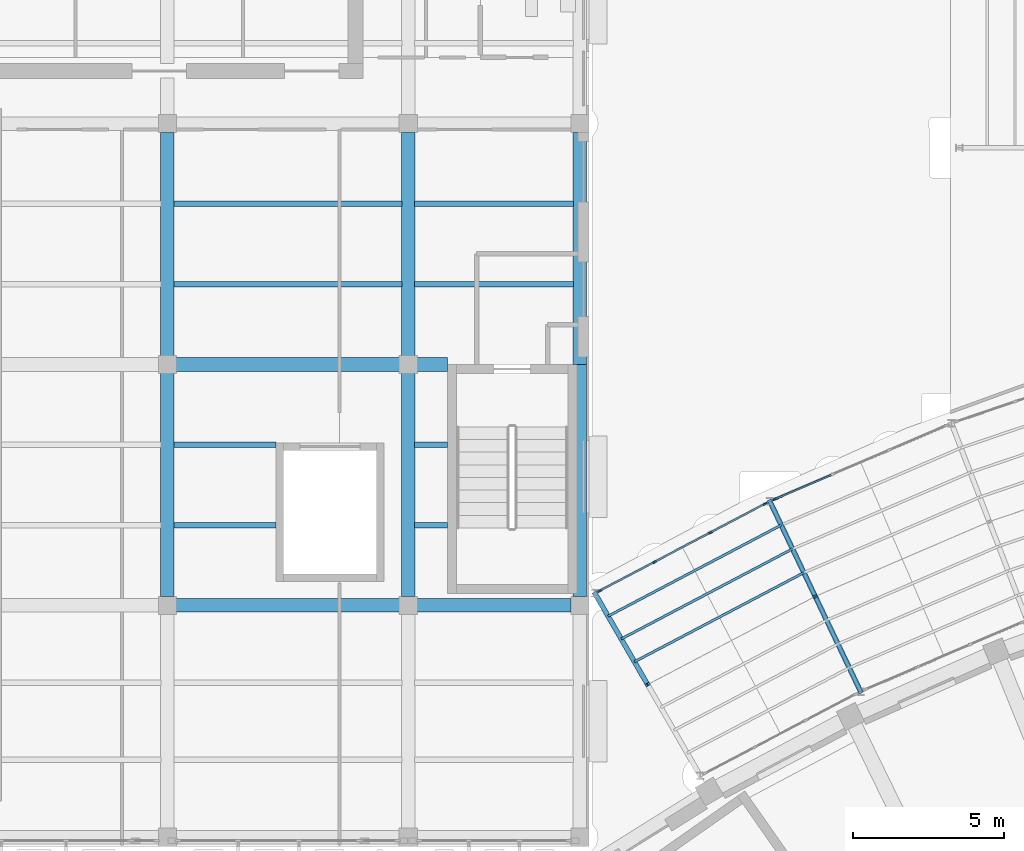
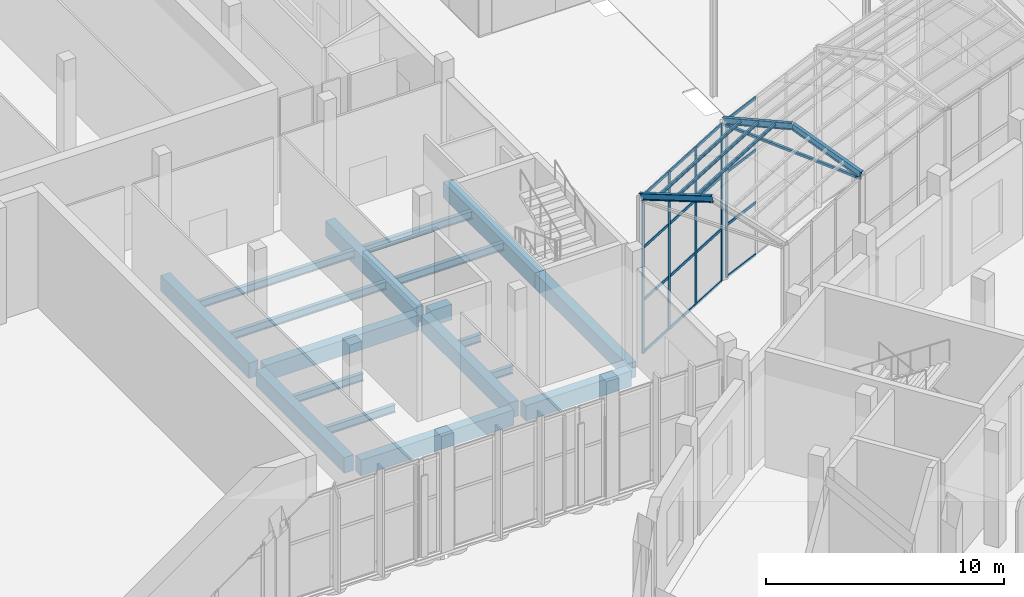
# One storey, part 38 of 155: 24 members, 22 beams, 2 elements without a shape of their own.
"""IFC4 building model written with IfcOpenShell, lengths in metres."""

from ifc_helpers import new_model, si_unit, direction, frame, origin, origin_2d, place, context, subcontext, project, spatial, rectangle, hollow_rectangle, i_section, extrude, material, layer, layer_set, material_profile, profile_set, type_object, element, aggregate, save


model = new_model("IFC4")

# Units and contexts
model_context = context("Model", 3, precision=1e-05, world=origin(), true_north=direction((0.0, 1.0)))
body_context = subcontext(model_context, "Body", "Model", "MODEL_VIEW")
ifc_project = project(units=[si_unit("LENGTHUNIT", "METRE"), si_unit("AREAUNIT", "SQUARE_METRE"), si_unit("VOLUMEUNIT", "CUBIC_METRE"), si_unit("PLANEANGLEUNIT", "RADIAN"), si_unit("MASSUNIT", "GRAM", prefix="KILO")], contexts=[model_context])

# Site, building, storey
site_placement = place(None, origin())
site = spatial("IfcSite", under=ifc_project, at=site_placement, CompositionType="ELEMENT")
building_placement = place(site_placement, origin())
building = spatial("IfcBuilding", under=site, at=building_placement, Name="Lunette Opera House", CompositionType="ELEMENT")
storey_placement = place(building_placement, origin())
storey = spatial("IfcBuildingStorey", under=building, at=storey_placement, Name="L00", CompositionType="ELEMENT", Elevation=0.0)

# Curtain wall, members
ifc_material_1 = material(Name="Aluminium", Category="aluminium")
ifc_layer = layer(ifc_material_1, 0.139892578125)
ifc_layer_set = layer_set([ifc_layer], Name="Aluminium")
curtain_wall_type = type_object("IfcCurtainWallType", Name="PASSAGE CURTAIN WALL", PredefinedType="NOTDEFINED", material=ifc_layer_set)
curtain_wall_1_placement = place(storey_placement, origin())
curtain_wall_1 = element("IfcCurtainWall", 1, at=curtain_wall_1_placement, inside=storey, type_object=curtain_wall_type, Name="Passage Curtain Wall WO1 L00", PredefinedType="NOTDEFINED")
ifc_material_2 = material(Name="Aluminium", Category="aluminium")
ifc_material_profile_1 = material_profile(ifc_material_2, rectangle(XDim=0.06005859375, YDim=0.139892578125, at=origin_2d()), Name="MULLION 60 X 140")
ifc_profile_set_1 = profile_set([ifc_material_profile_1], Name="Aluminium")
member_type_1 = type_object("IfcMemberType", Name="MULLION 60 X 140", PredefinedType="MULLION", material=ifc_profile_set_1)
member_1_placement = place(storey_placement, frame((54.359619140625, 72.48388671875, 0.0), z_axis=(0.0, 0.0, 1.0), x_axis=(-0.465575332618, 0.885008254005, 0.0)))
member_1 = element("IfcMember", 2, at=member_1_placement, type_object=member_type_1, Name="PP-X2016 mullion 1", PredefinedType="MULLION", context=body_context, shape_type="SweptSolid", body=[
    extrude(rectangle(XDim=0.06005859375, YDim=0.139892578125, at=origin_2d()), origin(), (0.0, 0.0, 1.0), 8.10009765625),
])
member_2_placement = place(storey_placement, frame((56.1806640625, 73.44189453125, 0.0), z_axis=(0.0, 0.0, 1.0), x_axis=(-0.465575332618, 0.885008254005, 0.0)))
member_2 = element("IfcMember", 3, at=member_2_placement, type_object=member_type_1, Name="PP-X2016 mullion 2", PredefinedType="MULLION", context=body_context, shape_type="SweptSolid", body=[
    extrude(rectangle(XDim=0.06005859375, YDim=0.139892578125, at=origin_2d()), origin(), (0.0, 0.0, 1.0), 8.10009765625),
])
member_3_placement = place(storey_placement, frame((58.0283203125, 74.4140625, 0.0), z_axis=(0.0, 0.0, 1.0), x_axis=(-0.465575332618, 0.885008254005, 0.0)))
member_3 = element("IfcMember", 4, at=member_3_placement, type_object=member_type_1, Name="PP-X2016 mullion 3", PredefinedType="MULLION", context=body_context, shape_type="SweptSolid", body=[
    extrude(rectangle(XDim=0.06005859375, YDim=0.139892578125, at=origin_2d()), origin(), (0.0, 0.0, 1.0), 8.10009765625),
])
member_4_placement = place(storey_placement, frame((59.849365234375, 75.3720703125, 0.0), z_axis=(0.0, 0.0, 1.0), x_axis=(-0.465575332618, 0.885008254005, 0.0)))
member_4 = element("IfcMember", 5, at=member_4_placement, type_object=member_type_1, Name="PP-X2016 mullion 4", PredefinedType="MULLION", context=body_context, shape_type="SweptSolid", body=[
    extrude(rectangle(XDim=0.06005859375, YDim=0.139892578125, at=origin_2d()), origin(), (0.0, 0.0, 1.0), 8.10009765625),
])

# Curtain wall, member
curtain_wall_2_placement = place(storey_placement, origin())
curtain_wall_2 = element("IfcCurtainWall", 6, at=curtain_wall_2_placement, inside=storey, type_object=curtain_wall_type, Name="Passage Curtain Wall WO2 L00", PredefinedType="NOTDEFINED")
member_5_placement = place(storey_placement, frame((60.174560546875, 75.52685546875, 0.0), z_axis=(0.0, 0.0, 1.0), x_axis=(-0.394805427943, 0.918764754476, 0.0)))
member_5 = element("IfcMember", 7, at=member_5_placement, type_object=member_type_1, Name="PP-X2017 mullion 1", PredefinedType="MULLION", context=body_context, shape_type="SweptSolid", body=[
    extrude(rectangle(XDim=0.06005859375, YDim=0.139892578125, at=origin_2d()), origin(), (0.0, 0.0, 1.0), 8.10009765625),
])

# Members
ifc_material_3 = material(Name="Steel S355", Category="steel")
ifc_material_profile_2 = material_profile(ifc_material_3, i_section(OverallWidth=0.08203125, OverallDepth=0.159912109375, WebThickness=0.0048828125, FlangeThickness=0.00732421875, FilletRadius=0.009033203125, at=origin_2d()), Name="IPE 160")
ifc_profile_set_2 = profile_set([ifc_material_profile_2], Name="Steel S355")
member_type_2 = type_object("IfcMemberType", Name="PURLIN IPE 160", PredefinedType="PURLIN", material=ifc_profile_set_2)
member_6_placement = place(storey_placement, frame((54.637939453125, 71.64208984375, 8.47509765625), z_axis=(0.885004638284, 0.465582205648, 0.0), x_axis=(-0.465582205648, 0.885004638284, 0.0)))
element("IfcMember", 8, at=member_6_placement, inside=storey, type_object=member_type_2, Name="mem-PP-L00-PU1B1", PredefinedType="PURLIN", context=body_context, shape_type="SweptSolid", body=[
    extrude(i_section(OverallWidth=0.08203125, OverallDepth=0.159912109375, WebThickness=0.0048828125, FlangeThickness=0.00732421875, FilletRadius=0.009033203125, at=origin_2d()), origin(), (0.0, 0.0, 1.0), 6.494873046875),
])
member_7_placement = place(storey_placement, frame((55.074951171875, 70.885009765625, 8.75), z_axis=(0.885092041389, 0.465416027087, 0.0), x_axis=(-0.465416027087, 0.885092041389, 0.0)))
element("IfcMember", 9, at=member_7_placement, inside=storey, type_object=member_type_2, Name="mem-PP-L00-PU1B2", PredefinedType="PURLIN", context=body_context, shape_type="SweptSolid", body=[
    extrude(i_section(OverallWidth=0.08203125, OverallDepth=0.159912109375, WebThickness=0.0048828125, FlangeThickness=0.00732421875, FilletRadius=0.009033203125, at=origin_2d()), origin(), (0.0, 0.0, 1.0), 6.426513671875),
])
member_8_placement = place(storey_placement, frame((55.512939453125, 70.126953125, 9.02490234375), z_axis=(0.884988189821, 0.465613470465, 0.0), x_axis=(-0.465613470465, 0.884988189821, 0.0)))
element("IfcMember", 10, at=member_8_placement, inside=storey, type_object=member_type_2, Name="mem-PP-L00-PU1B3", PredefinedType="PURLIN", context=body_context, shape_type="SweptSolid", body=[
    extrude(i_section(OverallWidth=0.08203125, OverallDepth=0.159912109375, WebThickness=0.0048828125, FlangeThickness=0.00732421875, FilletRadius=0.009033203125, at=origin_2d()), origin(), (0.0, 0.0, 1.0), 6.357177734375),
])

# Beams
ifc_material_4 = material(Name="Concrete C35/45", Category="concrete")
ifc_material_profile_3 = material_profile(ifc_material_4, rectangle(XDim=0.449951171875, YDim=0.800048828125, at=origin_2d()), Name="RC BEAM 450X800")
ifc_profile_set_3 = profile_set([ifc_material_profile_3], Name="Concrete C35/45")
beam_type_1 = type_object("IfcBeamType", Name="RC BEAM 450X800", PredefinedType="BEAM", material=ifc_profile_set_3)
for number, where, z_axis, x_axis, name in (
    (11, (40.0, 72.2900390625, -0.550048828125), (0.0, 1.0, 0.0), (-1.0, 0.0, 0.0), "beam-RW-L00-L00-GY41"),
    (12, (40.0, 80.2900390625, -0.550048828125), (0.0, 1.0, 0.0), (-1.0, 0.0, 0.0), "beam-RW-L00-L00-GY42"),
    (13, (48.0, 72.2900390625, -0.550048828125), (0.0, 1.0, 0.0), (-1.0, 0.0, 0.0), "beam-RW-L00-L00-GY51"),
    (14, (48.0, 80.2900390625, -0.550048828125), (0.0, 1.0, 0.0), (-1.0, 0.0, 0.0), "beam-RW-L00-L00-GY52"),
):
    element("IfcBeam", number, at=place(storey_placement, frame(where, z_axis=z_axis, x_axis=x_axis)), inside=storey, type_object=beam_type_1, Name=name, PredefinedType="BEAM", context=body_context, shape_type="SweptSolid", body=[
        extrude(rectangle(XDim=0.449951171875, YDim=0.800048828125, at=origin_2d()), origin(), (0.0, 0.0, 1.0), 7.419921875),
    ])
for number, where, z_axis, x_axis, name in (
    (15, (53.699951171875, 72.2900390625, -0.550048828125), (0.0, 1.0, 0.0), (-1.0, 0.0, 0.0), "beam-RW-L00-L00-GY61"),
    (16, (53.699951171875, 80.0, -0.550048828125), (0.0, 1.0, 0.0), (-1.0, 0.0, 0.0), "beam-RW-L00-L00-GY62"),
):
    element("IfcBeam", number, at=place(storey_placement, frame(where, z_axis=z_axis, x_axis=x_axis)), inside=storey, type_object=beam_type_1, Name=name, PredefinedType="BEAM", context=body_context, shape_type="SweptSolid", body=[
        extrude(rectangle(XDim=0.449951171875, YDim=0.800048828125, at=origin_2d()), origin(), (0.0, 0.0, 1.0), 7.7099609375),
    ])
beam_1_placement = place(storey_placement, frame((40.2900390625, 72.0, -0.550048828125), z_axis=(1.0, 0.0, 0.0), x_axis=(0.0, 1.0, 0.0)))
element("IfcBeam", 17, at=beam_1_placement, inside=storey, type_object=beam_type_1, Name="beam-RW-L00-L00-GX41", PredefinedType="BEAM", context=body_context, shape_type="SweptSolid", body=[
    extrude(rectangle(XDim=0.449951171875, YDim=0.800048828125, at=origin_2d()), origin(), (0.0, 0.0, 1.0), 7.419921875),
])
beam_2_placement = place(storey_placement, frame((48.2900390625, 72.0, -0.550048828125), z_axis=(1.0, 0.0, 0.0), x_axis=(0.0, 1.0, 0.0)))
element("IfcBeam", 18, at=beam_2_placement, inside=storey, type_object=beam_type_1, Name="beam-RW-L00-L00-GX51", PredefinedType="BEAM", context=body_context, shape_type="SweptSolid", body=[
    extrude(rectangle(XDim=0.449951171875, YDim=0.800048828125, at=origin_2d()), origin(), (0.0, 0.0, 1.0), 5.119873046875),
])
beam_3_placement = place(storey_placement, frame((40.2900390625, 80.0, -0.550048828125), z_axis=(1.0, 0.0, 0.0), x_axis=(0.0, 1.0, 0.0)))
element("IfcBeam", 19, at=beam_3_placement, inside=storey, type_object=beam_type_1, Name="beam-RW-L00-L00-GX42", PredefinedType="BEAM", context=body_context, shape_type="SweptSolid", body=[
    extrude(rectangle(XDim=0.449951171875, YDim=0.800048828125, at=origin_2d()), origin(), (0.0, 0.0, 1.0), 7.419921875),
])
beam_4_placement = place(storey_placement, frame((48.2900390625, 80.0, -0.550048828125), z_axis=(1.0, 0.0, 0.0), x_axis=(0.0, 1.0, 0.0)))
element("IfcBeam", 20, at=beam_4_placement, inside=storey, type_object=beam_type_1, Name="beam-RW-L00-L00-GX52", PredefinedType="BEAM", context=body_context, shape_type="SweptSolid", body=[
    extrude(rectangle(XDim=0.449951171875, YDim=0.800048828125, at=origin_2d()), origin(), (0.0, 0.0, 1.0), 1.02001953125),
])
ifc_material_5 = material(Name="Steel S355", Category="steel")
ifc_material_profile_4 = material_profile(ifc_material_5, i_section(OverallWidth=0.159912109375, OverallDepth=0.330078125, WebThickness=0.007568359375, FlangeThickness=0.011474609375, FilletRadius=0.01806640625, at=origin_2d()), Name="IPE 330")
ifc_profile_set_4 = profile_set([ifc_material_profile_4], Name="Steel S355")
beam_type_2 = type_object("IfcBeamType", Name="STEEL BEAM IPE 330", PredefinedType="BEAM", material=ifc_profile_set_4)
beam_5_placement = place(storey_placement, frame((54.199951171875, 72.39990234375, 8.14990234375), z_axis=(0.477001972732, -0.826169013877, 0.299856429845), x_axis=(0.866019471182, 0.500010275428, 0.0)))
element("IfcBeam", 21, at=beam_5_placement, inside=storey, type_object=beam_type_2, Name="beam-PP-L00-RF1B", PredefinedType="BEAM", context=body_context, shape_type="SweptSolid", body=[
    extrude(i_section(OverallWidth=0.159912109375, OverallDepth=0.330078125, WebThickness=0.007568359375, FlangeThickness=0.011474609375, FilletRadius=0.01806640625, at=origin_2d()), origin(), (0.0, 0.0, 1.0), 3.668701171875),
])
for number, where, z_axis, x_axis, name in (
    (22, (63.02294921875, 69.137939453125, 8.14990234375), (-0.410699630176, 0.861058524705, 0.29984000868), (-0.902587002526, -0.430507494559, 0.0), "beam-PP-L00-RF2A"),
    (23, (60.009033203125, 75.4560546875, 8.14990234375), (0.410778481124, -0.861017781833, 0.299848993349), (0.902546966305, 0.430591423062, 0.0), "beam-PP-L00-RF2B"),
):
    element("IfcBeam", number, at=place(storey_placement, frame(where, z_axis=z_axis, x_axis=x_axis)), inside=storey, type_object=beam_type_2, Name=name, PredefinedType="BEAM", context=body_context, shape_type="SweptSolid", body=[
        extrude(i_section(OverallWidth=0.159912109375, OverallDepth=0.330078125, WebThickness=0.007568359375, FlangeThickness=0.011474609375, FilletRadius=0.01806640625, at=origin_2d()), origin(), (0.0, 0.0, 1.0), 3.6689453125),
    ])
ifc_material_6 = material(Name="Steel S355", Category="steel")
ifc_material_profile_5 = material_profile(ifc_material_6, i_section(OverallWidth=0.179931640625, OverallDepth=0.39990234375, WebThickness=0.008544921875, FlangeThickness=0.013427734375, FilletRadius=0.02099609375, at=origin_2d()), Name="IPE 400")
ifc_profile_set_5 = profile_set([ifc_material_profile_5], Name="Steel S355")
beam_type_3 = type_object("IfcBeamType", Name="STEEL BEAM IPE 400", PredefinedType="BEAM", material=ifc_profile_set_5)
for number, where, z_axis, x_axis, name in (
    (24, (40.215087890625, 74.6669921875, -0.35009765625), (1.0, 0.0, 0.0), (0.0, 1.0, 0.0), "beam-RW-L00-L00-SX411"),
    (25, (40.215087890625, 77.3330078125, -0.35009765625), (1.0, 0.0, 0.0), (0.0, 1.0, 0.0), "beam-RW-L00-L00-SX412"),
):
    element("IfcBeam", number, at=place(storey_placement, frame(where, z_axis=z_axis, x_axis=x_axis)), inside=storey, type_object=beam_type_3, Name=name, PredefinedType="BEAM", context=body_context, shape_type="SweptSolid", body=[
        extrude(i_section(OverallWidth=0.179931640625, OverallDepth=0.39990234375, WebThickness=0.008544921875, FlangeThickness=0.013427734375, FilletRadius=0.02099609375, at=origin_2d()), origin(), (0.0, 0.0, 1.0), 3.385009765625),
    ])
for number, where, z_axis, x_axis, name in (
    (26, (40.215087890625, 82.6669921875, -0.35009765625), (1.0, 0.0, 0.0), (0.0, 1.0, 0.0), "beam-RW-L00-L00-SX421"),
    (27, (40.215087890625, 85.3330078125, -0.35009765625), (1.0, 0.0, 0.0), (0.0, 1.0, 0.0), "beam-RW-L00-L00-SX422"),
):
    element("IfcBeam", number, at=place(storey_placement, frame(where, z_axis=z_axis, x_axis=x_axis)), inside=storey, type_object=beam_type_3, Name=name, PredefinedType="BEAM", context=body_context, shape_type="SweptSolid", body=[
        extrude(i_section(OverallWidth=0.179931640625, OverallDepth=0.39990234375, WebThickness=0.008544921875, FlangeThickness=0.013427734375, FilletRadius=0.02099609375, at=origin_2d()), origin(), (0.0, 0.0, 1.0), 7.56982421875),
    ])
for number, where, z_axis, x_axis, name in (
    (28, (48.215087890625, 74.6669921875, -0.35009765625), (1.0, 0.0, 0.0), (0.0, 1.0, 0.0), "beam-RW-L00-L00-SX511"),
    (29, (48.215087890625, 77.3330078125, -0.35009765625), (1.0, 0.0, 0.0), (0.0, 1.0, 0.0), "beam-RW-L00-L00-SX512"),
):
    element("IfcBeam", number, at=place(storey_placement, frame(where, z_axis=z_axis, x_axis=x_axis)), inside=storey, type_object=beam_type_3, Name=name, PredefinedType="BEAM", context=body_context, shape_type="SweptSolid", body=[
        extrude(i_section(OverallWidth=0.179931640625, OverallDepth=0.39990234375, WebThickness=0.008544921875, FlangeThickness=0.013427734375, FilletRadius=0.02099609375, at=origin_2d()), origin(), (0.0, 0.0, 1.0), 1.0849609375),
    ])
for number, where, z_axis, x_axis, name in (
    (30, (48.215087890625, 82.6669921875, -0.35009765625), (1.0, 0.0, 0.0), (0.0, 1.0, 0.0), "beam-RW-L00-L00-SX521"),
    (31, (48.215087890625, 85.3330078125, -0.35009765625), (1.0, 0.0, 0.0), (0.0, 1.0, 0.0), "beam-RW-L00-L00-SX522"),
):
    element("IfcBeam", number, at=place(storey_placement, frame(where, z_axis=z_axis, x_axis=x_axis)), inside=storey, type_object=beam_type_3, Name=name, PredefinedType="BEAM", context=body_context, shape_type="SweptSolid", body=[
        extrude(i_section(OverallWidth=0.179931640625, OverallDepth=0.39990234375, WebThickness=0.008544921875, FlangeThickness=0.013427734375, FilletRadius=0.02099609375, at=origin_2d()), origin(), (0.0, 0.0, 1.0), 5.27001953125),
    ])
ifc_material_7 = material(Name="Steel S355", Category="steel")
ifc_material_profile_6 = material_profile(ifc_material_7, hollow_rectangle(XDim=0.1201171875, YDim=0.1201171875, WallThickness=0.006103515625, InnerFilletRadius=0.006103515625, OuterFilletRadius=0.011962890625, at=origin_2d()), Name="RHS 120X120X6")
ifc_profile_set_6 = profile_set([ifc_material_profile_6], Name="Steel S355")
beam_type_4 = type_object("IfcBeamType", Name="STEEL BEAM RHS 120X120X6", PredefinedType="BEAM", material=ifc_profile_set_6)
beam_6_placement = place(storey_placement, frame((63.02294921875, 69.137939453125, 7.949951171875), z_axis=(-0.430549458585, 0.90256698572, 0.0), x_axis=(-0.90256698572, -0.430549458585, 0.0)))
element("IfcBeam", 32, at=beam_6_placement, inside=storey, type_object=beam_type_4, Name="beam-PP-L00-TI2", PredefinedType="BEAM", context=body_context, shape_type="SweptSolid", body=[
    extrude(hollow_rectangle(XDim=0.1201171875, YDim=0.1201171875, WallThickness=0.006103515625, InnerFilletRadius=0.006103515625, OuterFilletRadius=0.011962890625, at=origin_2d()), origin(), (0.0, 0.0, 1.0), 7.000244140625),
])

# Member
ifc_material_8 = material(Name="Aluminium", Category="aluminium")
ifc_material_profile_7 = material_profile(ifc_material_8, rectangle(XDim=0.06005859375, YDim=0.139892578125, at=origin_2d()), Name="TRANSOM 60 X 140")
ifc_profile_set_7 = profile_set([ifc_material_profile_7], Name="Aluminium")
member_type_3 = type_object("IfcMemberType", Name="TRANSOM 60 X 140", PredefinedType="USERDEFINED", material=ifc_profile_set_7)
member_9_placement = place(storey_placement, frame((54.385986328125, 72.498046875, 0.030029296875), z_axis=(0.885048086275, 0.465499607929, 0.0), x_axis=(-0.465499607929, 0.885048086275, 0.0)))
member_9 = element("IfcMember", 33, at=member_9_placement, type_object=member_type_3, Name="PP-X2016 transom 1.1", ObjectType="TRANSOM", PredefinedType="USERDEFINED", context=body_context, shape_type="SweptSolid", body=[
    extrude(rectangle(XDim=0.06005859375, YDim=0.139892578125, at=origin_2d()), origin(), (0.0, 0.0, 1.0), 1.997802734375),
])

member_10_placement = place(storey_placement, frame((54.385986328125, 72.498046875, 2.699951171875), z_axis=(0.885048086275, 0.465499607929, 0.0), x_axis=(-0.465499607929, 0.885048086275, 0.0)))
member_10 = element("IfcMember", 34, at=member_10_placement, type_object=member_type_3, Name="PP-X2016 transom 1.2", ObjectType="TRANSOM", PredefinedType="USERDEFINED", context=body_context, shape_type="SweptSolid", body=[
    extrude(rectangle(XDim=0.06005859375, YDim=0.139892578125, at=origin_2d()), origin(), (0.0, 0.0, 1.0), 1.997802734375),
])

member_11_placement = place(storey_placement, frame((54.385986328125, 72.498046875, 5.39990234375), z_axis=(0.885048086275, 0.465499607929, 0.0), x_axis=(-0.465499607929, 0.885048086275, 0.0)))
member_11 = element("IfcMember", 35, at=member_11_placement, type_object=member_type_3, Name="PP-X2016 transom 1.3", ObjectType="TRANSOM", PredefinedType="USERDEFINED", context=body_context, shape_type="SweptSolid", body=[
    extrude(rectangle(XDim=0.06005859375, YDim=0.139892578125, at=origin_2d()), origin(), (0.0, 0.0, 1.0), 1.997802734375),
])

member_12_placement = place(storey_placement, frame((54.385986328125, 72.498046875, 8.070068359375), z_axis=(0.885048086275, 0.465499607929, 0.0), x_axis=(-0.465499607929, 0.885048086275, 0.0)))
member_12 = element("IfcMember", 36, at=member_12_placement, type_object=member_type_3, Name="PP-X2016 transom 1.4", ObjectType="TRANSOM", PredefinedType="USERDEFINED", context=body_context, shape_type="SweptSolid", body=[
    extrude(rectangle(XDim=0.06005859375, YDim=0.139892578125, at=origin_2d()), origin(), (0.0, 0.0, 1.0), 1.997802734375),
])

member_13_placement = place(storey_placement, frame((56.207275390625, 73.4560546875, 0.030029296875), z_axis=(0.88498873239, 0.465612439205, 0.0), x_axis=(-0.465612439205, 0.88498873239, 0.0)))
member_13 = element("IfcMember", 37, at=member_13_placement, type_object=member_type_3, Name="PP-X2016 transom 2.1", ObjectType="TRANSOM", PredefinedType="USERDEFINED", context=body_context, shape_type="SweptSolid", body=[
    extrude(rectangle(XDim=0.06005859375, YDim=0.139892578125, at=origin_2d()), origin(), (0.0, 0.0, 1.0), 2.027587890625),
])

member_14_placement = place(storey_placement, frame((56.207275390625, 73.4560546875, 2.699951171875), z_axis=(0.88498873239, 0.465612439205, 0.0), x_axis=(-0.465612439205, 0.88498873239, 0.0)))
member_14 = element("IfcMember", 38, at=member_14_placement, type_object=member_type_3, Name="PP-X2016 transom 2.2", ObjectType="TRANSOM", PredefinedType="USERDEFINED", context=body_context, shape_type="SweptSolid", body=[
    extrude(rectangle(XDim=0.06005859375, YDim=0.139892578125, at=origin_2d()), origin(), (0.0, 0.0, 1.0), 2.027587890625),
])

member_15_placement = place(storey_placement, frame((56.207275390625, 73.4560546875, 5.39990234375), z_axis=(0.88498873239, 0.465612439205, 0.0), x_axis=(-0.465612439205, 0.88498873239, 0.0)))
member_15 = element("IfcMember", 39, at=member_15_placement, type_object=member_type_3, Name="PP-X2016 transom 2.3", ObjectType="TRANSOM", PredefinedType="USERDEFINED", context=body_context, shape_type="SweptSolid", body=[
    extrude(rectangle(XDim=0.06005859375, YDim=0.139892578125, at=origin_2d()), origin(), (0.0, 0.0, 1.0), 2.027587890625),
])

member_16_placement = place(storey_placement, frame((56.207275390625, 73.4560546875, 8.070068359375), z_axis=(0.88498873239, 0.465612439205, 0.0), x_axis=(-0.465612439205, 0.88498873239, 0.0)))
member_16 = element("IfcMember", 40, at=member_16_placement, type_object=member_type_3, Name="PP-X2016 transom 2.4", ObjectType="TRANSOM", PredefinedType="USERDEFINED", context=body_context, shape_type="SweptSolid", body=[
    extrude(rectangle(XDim=0.06005859375, YDim=0.139892578125, at=origin_2d()), origin(), (0.0, 0.0, 1.0), 2.027587890625),
])

member_17_placement = place(storey_placement, frame((58.054931640625, 74.427978515625, 0.030029296875), z_axis=(0.884997734535, 0.465595328442, 0.0), x_axis=(-0.465595328442, 0.884997734535, 0.0)))
member_17 = element("IfcMember", 41, at=member_17_placement, type_object=member_type_3, Name="PP-X2016 transom 3.1", ObjectType="TRANSOM", PredefinedType="USERDEFINED", context=body_context, shape_type="SweptSolid", body=[
    extrude(rectangle(XDim=0.06005859375, YDim=0.139892578125, at=origin_2d()), origin(), (0.0, 0.0, 1.0), 1.997802734375),
])

member_18_placement = place(storey_placement, frame((58.054931640625, 74.427978515625, 2.699951171875), z_axis=(0.884997734535, 0.465595328442, 0.0), x_axis=(-0.465595328442, 0.884997734535, 0.0)))
member_18 = element("IfcMember", 42, at=member_18_placement, type_object=member_type_3, Name="PP-X2016 transom 3.2", ObjectType="TRANSOM", PredefinedType="USERDEFINED", context=body_context, shape_type="SweptSolid", body=[
    extrude(rectangle(XDim=0.06005859375, YDim=0.139892578125, at=origin_2d()), origin(), (0.0, 0.0, 1.0), 1.997802734375),
])

member_19_placement = place(storey_placement, frame((58.054931640625, 74.427978515625, 5.39990234375), z_axis=(0.884997734535, 0.465595328442, 0.0), x_axis=(-0.465595328442, 0.884997734535, 0.0)))
member_19 = element("IfcMember", 43, at=member_19_placement, type_object=member_type_3, Name="PP-X2016 transom 3.3", ObjectType="TRANSOM", PredefinedType="USERDEFINED", context=body_context, shape_type="SweptSolid", body=[
    extrude(rectangle(XDim=0.06005859375, YDim=0.139892578125, at=origin_2d()), origin(), (0.0, 0.0, 1.0), 1.997802734375),
])

member_20_placement = place(storey_placement, frame((58.054931640625, 74.427978515625, 8.070068359375), z_axis=(0.884997734535, 0.465595328442, 0.0), x_axis=(-0.465595328442, 0.884997734535, 0.0)))
member_20 = element("IfcMember", 44, at=member_20_placement, type_object=member_type_3, Name="PP-X2016 transom 3.4", ObjectType="TRANSOM", PredefinedType="USERDEFINED", context=body_context, shape_type="SweptSolid", body=[
    extrude(rectangle(XDim=0.06005859375, YDim=0.139892578125, at=origin_2d()), origin(), (0.0, 0.0, 1.0), 1.997802734375),
])

aggregate(curtain_wall_1, [member_1, member_2, member_3, member_4, member_9, member_10, member_11, member_12, member_13, member_14, member_15, member_16, member_17, member_18, member_19, member_20])

member_21_placement = place(storey_placement, frame((60.2021484375, 75.53857421875, 0.030029296875), z_axis=(0.918765386014, 0.394803958267, 0.0), x_axis=(-0.394803958267, 0.918765386014, 0.0)))
member_21 = element("IfcMember", 45, at=member_21_placement, type_object=member_type_3, Name="PP-X2017 transom 1.1", ObjectType="TRANSOM", PredefinedType="USERDEFINED", context=body_context, shape_type="SweptSolid", body=[
    extrude(rectangle(XDim=0.06005859375, YDim=0.139892578125, at=origin_2d()), origin(), (0.0, 0.0, 1.0), 1.998046875),
])

member_22_placement = place(storey_placement, frame((60.2021484375, 75.53857421875, 2.699951171875), z_axis=(0.918765386014, 0.394803958267, 0.0), x_axis=(-0.394803958267, 0.918765386014, 0.0)))
member_22 = element("IfcMember", 46, at=member_22_placement, type_object=member_type_3, Name="PP-X2017 transom 1.2", ObjectType="TRANSOM", PredefinedType="USERDEFINED", context=body_context, shape_type="SweptSolid", body=[
    extrude(rectangle(XDim=0.06005859375, YDim=0.139892578125, at=origin_2d()), origin(), (0.0, 0.0, 1.0), 1.998046875),
])

member_23_placement = place(storey_placement, frame((60.2021484375, 75.53857421875, 5.39990234375), z_axis=(0.918765386014, 0.394803958267, 0.0), x_axis=(-0.394803958267, 0.918765386014, 0.0)))
member_23 = element("IfcMember", 47, at=member_23_placement, type_object=member_type_3, Name="PP-X2017 transom 1.3", ObjectType="TRANSOM", PredefinedType="USERDEFINED", context=body_context, shape_type="SweptSolid", body=[
    extrude(rectangle(XDim=0.06005859375, YDim=0.139892578125, at=origin_2d()), origin(), (0.0, 0.0, 1.0), 1.998046875),
])

member_24_placement = place(storey_placement, frame((60.2021484375, 75.53857421875, 8.070068359375), z_axis=(0.918765386014, 0.394803958267, 0.0), x_axis=(-0.394803958267, 0.918765386014, 0.0)))
member_24 = element("IfcMember", 48, at=member_24_placement, type_object=member_type_3, Name="PP-X2017 transom 1.4", ObjectType="TRANSOM", PredefinedType="USERDEFINED", context=body_context, shape_type="SweptSolid", body=[
    extrude(rectangle(XDim=0.06005859375, YDim=0.139892578125, at=origin_2d()), origin(), (0.0, 0.0, 1.0), 1.998046875),
])

aggregate(curtain_wall_2, [member_5, member_21, member_22, member_23, member_24])

save(model, "model.ifc")
